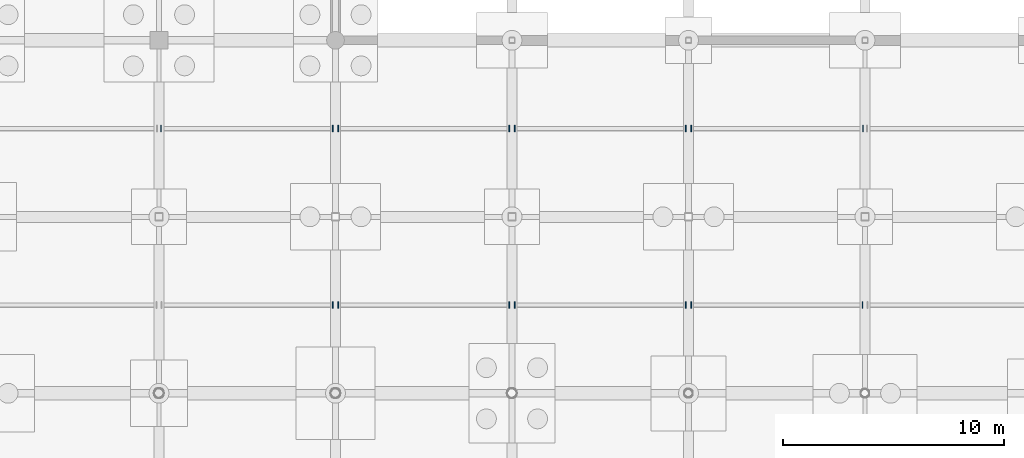
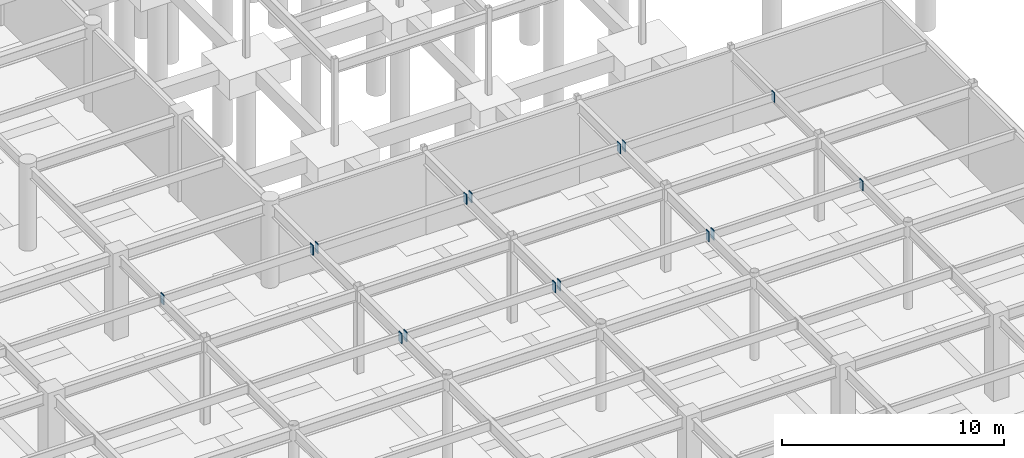
# One storey, part 74 of 105: 15 discrete accessories.
"""IFC4 building model written with IfcOpenShell, lengths in metres."""

from ifc_helpers import new_model, si_unit, direction, frame, origin, origin_2d, place, context, subcontext, project, spatial, rectangle, extrude, material, layer, layer_set, type_object, element, save


model = new_model("IFC4")

# Units and contexts
model_context = context("Model", 3, precision=1e-05, world=origin(), true_north=direction((0.0, 1.0)))
body_context = subcontext(model_context, "Body", "Model", "MODEL_VIEW")
ifc_project = project(units=[si_unit("LENGTHUNIT", "METRE"), si_unit("AREAUNIT", "SQUARE_METRE"), si_unit("VOLUMEUNIT", "CUBIC_METRE"), si_unit("PLANEANGLEUNIT", "RADIAN"), si_unit("MASSUNIT", "GRAM", prefix="KILO")], contexts=[model_context])

# Site, building, storey
site_placement = place(None, origin())
site = spatial("IfcSite", under=ifc_project, at=site_placement, CompositionType="ELEMENT")
building_placement = place(site_placement, origin())
building = spatial("IfcBuilding", under=site, at=building_placement, Name="Solmirada Galleria", CompositionType="ELEMENT")
storey_placement = place(building_placement, frame((0.0, 0.0, -4.800048828125)))
storey = spatial("IfcBuildingStorey", under=building, at=storey_placement, Name="B1", CompositionType="ELEMENT", Elevation=-4.800048828125)

# Discrete accessories
ifc_material = material(Name="Steel S355 / ASTM A572 Grade 50", Category="steel")
ifc_layer = layer(ifc_material, 0.031982421875)
ifc_layer_set = layer_set([ifc_layer], Name="Steel S355 / ASTM A572 Grade 50")
discrete_accessory_type = type_object("IfcDiscreteAccessoryType", Name="ACC-COL-CAP", PredefinedType="BRACKET", material=ifc_layer_set)
for number, where, z_axis, x_axis, name in (
    (1, (111.873046875, 36.0, 4.08154296875), (0.0, 0.0, 1.0), (1.0, 0.0, 0.0), "Hollow joist end plate L00-14-05-R"),
    (2, (104.089111328125, 44.0, 4.08154296875), (0.0, 0.0, 1.0), (1.0, 0.0, 0.0), "Hollow joist end plate L00-14-06-L"),
    (3, (111.873046875, 44.0, 4.08154296875), (0.0, 0.0, 1.0), (1.0, 0.0, 0.0), "Hollow joist end plate L00-14-06-R"),
    (4, (112.126953125, 36.0, 4.08154296875), (0.0, 0.0, 1.0), (1.0, 0.0, 0.0), "Hollow joist end plate L00-15-05-L"),
    (5, (119.8720703125, 36.0, 4.08154296875), (0.0, 0.0, 1.0), (1.0, 0.0, 0.0), "Hollow joist end plate L00-15-05-R"),
    (6, (112.126953125, 44.0, 4.08154296875), (0.0, 0.0, 1.0), (1.0, 0.0, 0.0), "Hollow joist end plate L00-15-06-L"),
    (7, (119.8720703125, 44.0, 4.08154296875), (0.0, 0.0, 1.0), (1.0, 0.0, 0.0), "Hollow joist end plate L00-15-06-R"),
    (8, (120.1279296875, 36.0, 4.08154296875), (0.0, 0.0, 1.0), (1.0, 0.0, 0.0), "Hollow joist end plate L00-16-05-L"),
    (9, (127.873046875, 36.0, 4.08154296875), (0.0, 0.0, 1.0), (1.0, 0.0, 0.0), "Hollow joist end plate L00-16-05-R"),
    (10, (120.1279296875, 44.0, 4.08154296875), (0.0, 0.0, 1.0), (1.0, 0.0, 0.0), "Hollow joist end plate L00-16-06-L"),
    (11, (127.873046875, 44.0, 4.08154296875), (0.0, 0.0, 1.0), (1.0, 0.0, 0.0), "Hollow joist end plate L00-16-06-R"),
    (12, (128.126953125, 36.0, 4.08154296875), (0.0, 0.0, 1.0), (1.0, 0.0, 0.0), "Hollow joist end plate L00-17-05-L"),
    (13, (135.885986328125, 36.0, 4.08154296875), (0.0, 0.0, 1.0), (1.0, 0.0, 0.0), "Hollow joist end plate L00-17-05-R"),
    (14, (128.126953125, 44.0, 4.08154296875), (0.0, 0.0, 1.0), (1.0, 0.0, 0.0), "Hollow joist end plate L00-17-06-L"),
    (15, (135.910888671875, 44.0, 4.08154296875), (0.0, 0.0, 1.0), (1.0, 0.0, 0.0), "Hollow joist end plate L00-17-06-R"),
):
    element("IfcDiscreteAccessory", number, at=place(storey_placement, frame(where, z_axis=z_axis, x_axis=x_axis)), inside=storey, type_object=discrete_accessory_type, Name=name, PredefinedType="BRACKET", context=body_context, shape_type="SweptSolid", body=[
        extrude(rectangle(XDim=0.035888671875, YDim=0.280029296875, at=origin_2d()), origin(), (0.0, 0.0, 1.0), 0.5400390625),
    ])

save(model, "model.ifc")
